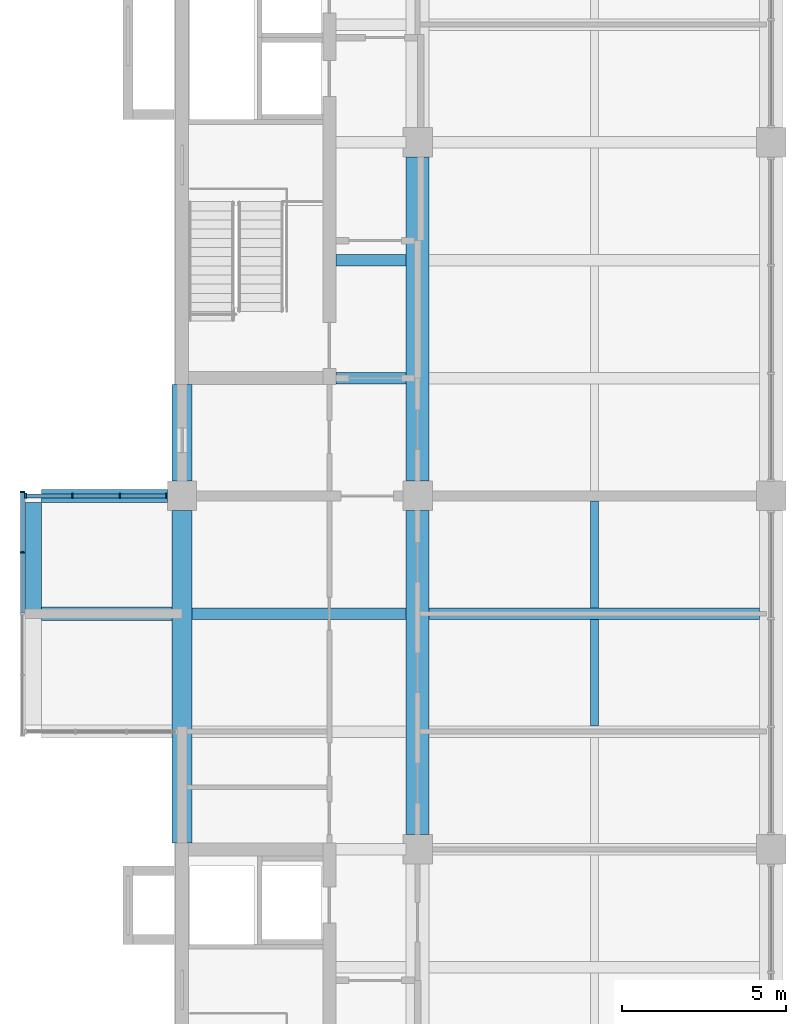
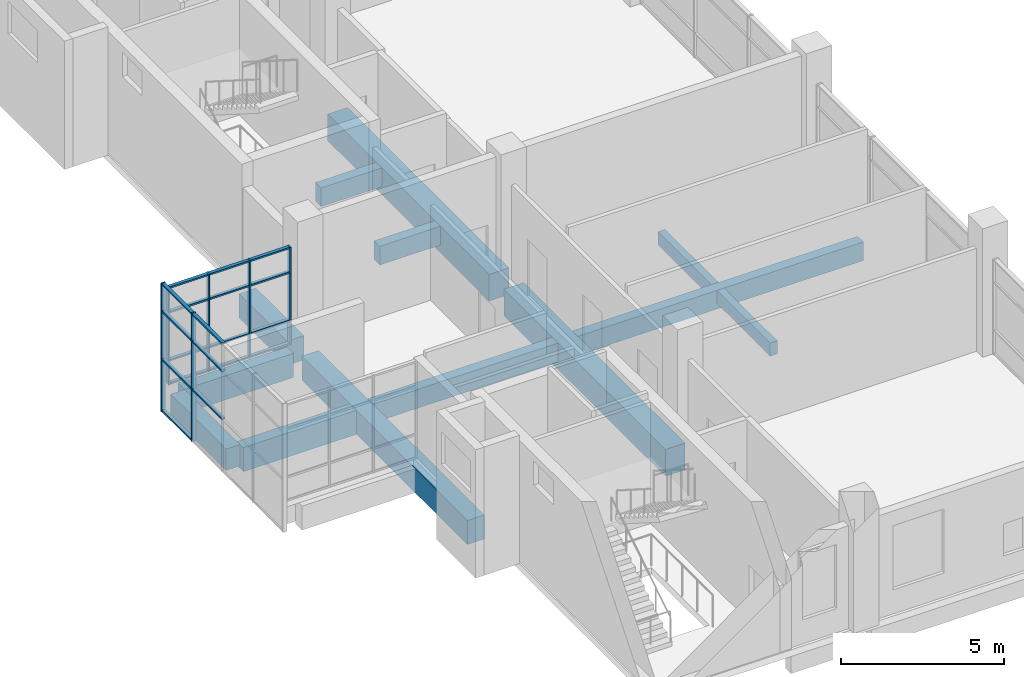
# One storey, part 3 of 15: 25 members, 13 beams, 2 elements without a shape of their own.
"""IFC4 building model written with IfcOpenShell, lengths in metres."""

from ifc_helpers import new_model, si_unit, direction, frame, origin, origin_2d, place, context, subcontext, project, spatial, rectangle, extrude, material, layer, layer_set, material_profile, profile_set, type_object, element, aggregate, save


model = new_model("IFC4")

# Units and contexts
model_context = context("Model", 3, precision=1e-05, world=origin(), true_north=direction((0.0, 1.0)))
body_context = subcontext(model_context, "Body", "Model", "MODEL_VIEW")
ifc_project = project(units=[si_unit("LENGTHUNIT", "METRE"), si_unit("AREAUNIT", "SQUARE_METRE"), si_unit("VOLUMEUNIT", "CUBIC_METRE"), si_unit("PLANEANGLEUNIT", "RADIAN"), si_unit("MASSUNIT", "GRAM", prefix="KILO")], contexts=[model_context])

# Site, building, storey
site_placement = place(None, origin())
site = spatial("IfcSite", under=ifc_project, at=site_placement, CompositionType="ELEMENT")
building_placement = place(site_placement, origin())
building = spatial("IfcBuilding", under=site, at=building_placement, Name="Basin Gate Institute", CompositionType="ELEMENT")
storey_placement = place(building_placement, frame((0.0, 0.0, 55.800048828125)))
storey = spatial("IfcBuildingStorey", under=building, at=storey_placement, Name="L11", CompositionType="ELEMENT", Elevation=55.800048828125)

# Beams
ifc_material_1 = material(Name="Concrete 40 MPa", Category="concrete")
ifc_material_profile_1 = material_profile(ifc_material_1, rectangle(XDim=0.35009765625, YDim=0.699951171875, at=origin_2d()), Name="Beam B1 350 x 700")
ifc_profile_set_1 = profile_set([ifc_material_profile_1], Name="Concrete 40 MPa")
beam_type_1 = type_object("IfcBeamType", Name="Beam B1 R120", PredefinedType="BEAM", material=ifc_profile_set_1)
beam_1_placement = place(storey_placement, frame((68.75, 53.10009765625, -0.60009765625), z_axis=(1.0, 0.0, 0.0), x_axis=(0.0, 1.0, 0.0)))
element("IfcBeam", 1, at=beam_1_placement, inside=storey, type_object=beam_type_1, material=ifc_profile_set_1, Name="BEAM/L11/W/EW/06", PredefinedType="BEAM", context=body_context, shape_type="SweptSolid", body=[
    extrude(rectangle(XDim=0.35009765625, YDim=0.699951171875, at=origin_2d()), origin(), (0.0, 0.0, 1.0), 10.10009765625),
])
beam_2_placement = place(storey_placement, frame((61.5, 53.10009765625, -0.60009765625), z_axis=(1.0, 0.0, 0.0), x_axis=(0.0, 1.0, 0.0)))
element("IfcBeam", 2, at=beam_2_placement, inside=storey, type_object=beam_type_1, material=ifc_profile_set_1, Name="BEAM/L11/W/OUT/06", PredefinedType="BEAM", context=body_context, shape_type="SweptSolid", body=[
    extrude(rectangle(XDim=0.35009765625, YDim=0.699951171875, at=origin_2d()), origin(), (0.0, 0.0, 1.0), 6.550048828125),
])
for number, where, z_axis, x_axis, name in (
    (3, (65.89990234375, 60.300048828125, -0.60009765625), (1.0, 0.0, 0.0), (0.0, 1.0, 0.0), "BEAM/L11/W/CORR/08"),
    (4, (65.89990234375, 63.89990234375, -0.60009765625), (1.0, 0.0, 0.0), (0.0, 1.0, 0.0), "BEAM/L11/W/CORR/09"),
):
    element("IfcBeam", number, at=place(storey_placement, frame(where, z_axis=z_axis, x_axis=x_axis)), inside=storey, type_object=beam_type_1, material=ifc_profile_set_1, Name=name, PredefinedType="BEAM", context=body_context, shape_type="SweptSolid", body=[
        extrude(rectangle(XDim=0.35009765625, YDim=0.699951171875, at=origin_2d()), origin(), (0.0, 0.0, 1.0), 2.150146484375),
    ])
ifc_material_2 = material(Name="Concrete 50 MPa", Category="concrete")
ifc_material_profile_2 = material_profile(ifc_material_2, rectangle(XDim=0.39990234375, YDim=0.89990234375, at=origin_2d()), Name="Cantilever beam B3 400 x 900")
ifc_profile_set_2 = profile_set([ifc_material_profile_2], Name="Concrete 50 MPa")
beam_type_2 = type_object("IfcBeamType", Name="Cantilever beam B3 R120", PredefinedType="BEAM", material=ifc_profile_set_2)
beam_3_placement = place(storey_placement, frame((56.89990234375, 53.10009765625, -0.699951171875), z_axis=(1.0, 0.0, 0.0), x_axis=(0.0, 1.0, 0.0)))
element("IfcBeam", 5, at=beam_3_placement, inside=storey, type_object=beam_type_2, material=ifc_profile_set_2, Name="BEAM/L11/W/CANT/06", PredefinedType="BEAM", context=body_context, shape_type="SweptSolid", body=[
    extrude(rectangle(XDim=0.39990234375, YDim=0.89990234375, at=origin_2d()), origin(), (0.0, 0.0, 1.0), 4.0),
])
beam_4_placement = place(storey_placement, frame((56.89990234375, 56.699951171875, -0.699951171875), z_axis=(1.0, 0.0, 0.0), x_axis=(0.0, 1.0, 0.0)))
element("IfcBeam", 6, at=beam_4_placement, inside=storey, type_object=beam_type_2, material=ifc_profile_set_2, Name="BEAM/L11/W/CANT/07", PredefinedType="BEAM", context=body_context, shape_type="SweptSolid", body=[
    extrude(rectangle(XDim=0.39990234375, YDim=0.89990234375, at=origin_2d()), origin(), (0.0, 0.0, 1.0), 3.85009765625),
])
ifc_material_3 = material(Name="Concrete 50 MPa", Category="concrete")
ifc_material_profile_3 = material_profile(ifc_material_3, rectangle(XDim=0.60009765625, YDim=0.89990234375, at=origin_2d()), Name="Edge beam EB1 600 x 900")
ifc_profile_set_3 = profile_set([ifc_material_profile_3], Name="Concrete 50 MPa")
beam_type_3 = type_object("IfcBeamType", Name="Edge beam EB1 R120", PredefinedType="SPANDREL", material=ifc_profile_set_3)
beam_5_placement = place(storey_placement, frame((61.199951171875, 46.10009765625, -0.699951171875), z_axis=(0.0, 1.0, 0.0), x_axis=(-1.0, 0.0, 0.0)))
element("IfcBeam", 7, at=beam_5_placement, inside=storey, type_object=beam_type_3, material=ifc_profile_set_3, Name="BEAM/L11/W/EDGE/1", PredefinedType="SPANDREL", context=body_context, shape_type="SweptSolid", body=[
    extrude(rectangle(XDim=0.60009765625, YDim=0.89990234375, at=origin_2d()), origin(), (0.0, 0.0, 1.0), 10.14990234375),
])
ifc_material_4 = material(Name="Concrete 50 MPa", Category="concrete")
ifc_material_profile_4 = material_profile(ifc_material_4, rectangle(XDim=0.60009765625, YDim=0.89990234375, at=origin_2d()), Name="Edge return beam EB3 600 x 900")
ifc_profile_set_4 = profile_set([ifc_material_profile_4], Name="Concrete 50 MPa")
beam_type_4 = type_object("IfcBeamType", Name="Edge return beam EB3 R120", PredefinedType="SPANDREL", material=ifc_profile_set_4)
beam_6_placement = place(storey_placement, frame((61.199951171875, 57.14990234375, -0.699951171875), z_axis=(0.0, 1.0, 0.0), x_axis=(-1.0, 0.0, 0.0)))
element("IfcBeam", 8, at=beam_6_placement, inside=storey, type_object=beam_type_4, material=ifc_profile_set_4, Name="BEAM/L11/W/EDGE/2", PredefinedType="SPANDREL", context=body_context, shape_type="SweptSolid", body=[
    extrude(rectangle(XDim=0.60009765625, YDim=0.89990234375, at=origin_2d()), origin(), (0.0, 0.0, 1.0), 2.9501953125),
])
ifc_material_5 = material(Name="Concrete 50 MPa", Category="concrete")
ifc_material_profile_5 = material_profile(ifc_material_5, rectangle(XDim=0.699951171875, YDim=1.0, at=origin_2d()), Name="Girder G1 700 x 1000")
ifc_profile_set_5 = profile_set([ifc_material_profile_5], Name="Concrete 50 MPa")
beam_type_5 = type_object("IfcBeamType", Name="Girder G1 R120", PredefinedType="BEAM", material=ifc_profile_set_5)
beam_7_placement = place(storey_placement, frame((68.39990234375, 46.35009765625, -0.75), z_axis=(0.0, 1.0, 0.0), x_axis=(-1.0, 0.0, 0.0)))
element("IfcBeam", 9, at=beam_7_placement, inside=storey, type_object=beam_type_5, material=ifc_profile_set_5, Name="GIR/L11/W5/2", PredefinedType="BEAM", context=body_context, shape_type="SweptSolid", body=[
    extrude(rectangle(XDim=0.699951171875, YDim=1.0, at=origin_2d()), origin(), (0.0, 0.0, 1.0), 9.89990234375),
])
beam_8_placement = place(storey_placement, frame((68.39990234375, 57.14990234375, -0.75), z_axis=(0.0, 1.0, 0.0), x_axis=(-1.0, 0.0, 0.0)))
element("IfcBeam", 10, at=beam_8_placement, inside=storey, type_object=beam_type_5, material=ifc_profile_set_5, Name="GIR/L11/W5/3", PredefinedType="BEAM", context=body_context, shape_type="SweptSolid", body=[
    extrude(rectangle(XDim=0.699951171875, YDim=1.0, at=origin_2d()), origin(), (0.0, 0.0, 1.0), 9.900146484375),
])

# Curtain wall, members
ifc_material_6 = material(Name="Aluminium-framed glazing", Category="aluminium")
ifc_layer = layer(ifc_material_6, 0.14990234375)
ifc_layer_set = layer_set([ifc_layer], Name="Capsule front curtain wall CW1")
curtain_wall_type = type_object("IfcCurtainWallType", Name="Capsule front curtain wall CW1", PredefinedType="NOTDEFINED", material=ifc_layer_set)
curtain_wall_1_placement = place(storey_placement, origin())
curtain_wall_1 = element("IfcCurtainWall", 11, at=curtain_wall_1_placement, inside=storey, type_object=curtain_wall_type, material=ifc_layer_set, Name="Capsule front curtain wall W wing capsule end L11 line 7", PredefinedType="NOTDEFINED")
ifc_material_7 = material(Name="Aluminium", Category="aluminium")
ifc_material_profile_6 = material_profile(ifc_material_7, rectangle(XDim=0.14990234375, YDim=0.050048828125, at=origin_2d()), Name="Mullion MU1 150 x 50")
ifc_profile_set_6 = profile_set([ifc_material_profile_6], Name="Aluminium")
member_type_1 = type_object("IfcMemberType", Name="Mullion MU1", PredefinedType="MULLION", material=ifc_profile_set_6)
member_1_placement = place(storey_placement, frame((56.425048828125, 56.699951171875, 0.0), z_axis=(0.0, 0.0, 1.0), x_axis=(0.0, 1.0, 0.0)))
member_1 = element("IfcMember", 12, at=member_1_placement, type_object=member_type_1, material=ifc_profile_set_6, Name="CW1 mullion 1", PredefinedType="MULLION", context=body_context, shape_type="SweptSolid", body=[
    extrude(rectangle(XDim=0.14990234375, YDim=0.050048828125, at=origin_2d()), origin(), (0.0, 0.0, 1.0), 3.64990234375),
])
member_2_placement = place(storey_placement, frame((57.85009765625, 56.699951171875, 0.0), z_axis=(0.0, 0.0, 1.0), x_axis=(0.0, 1.0, 0.0)))
member_2 = element("IfcMember", 13, at=member_2_placement, type_object=member_type_1, material=ifc_profile_set_6, Name="CW1 mullion 2", PredefinedType="MULLION", context=body_context, shape_type="SweptSolid", body=[
    extrude(rectangle(XDim=0.14990234375, YDim=0.050048828125, at=origin_2d()), origin(), (0.0, 0.0, 1.0), 3.64990234375),
])
member_3_placement = place(storey_placement, frame((59.300048828125, 56.699951171875, 0.0), z_axis=(0.0, 0.0, 1.0), x_axis=(0.0, 1.0, 0.0)))
member_3 = element("IfcMember", 14, at=member_3_placement, type_object=member_type_1, material=ifc_profile_set_6, Name="CW1 mullion 3", PredefinedType="MULLION", context=body_context, shape_type="SweptSolid", body=[
    extrude(rectangle(XDim=0.14990234375, YDim=0.050048828125, at=origin_2d()), origin(), (0.0, 0.0, 1.0), 3.64990234375),
])
member_4_placement = place(storey_placement, frame((60.72509765625, 56.699951171875, 0.0), z_axis=(0.0, 0.0, 1.0), x_axis=(0.0, 1.0, 0.0)))
member_4 = element("IfcMember", 15, at=member_4_placement, type_object=member_type_1, material=ifc_profile_set_6, Name="CW1 mullion 4", PredefinedType="MULLION", context=body_context, shape_type="SweptSolid", body=[
    extrude(rectangle(XDim=0.14990234375, YDim=0.050048828125, at=origin_2d()), origin(), (0.0, 0.0, 1.0), 3.64990234375),
])

curtain_wall_2_placement = place(storey_placement, origin())
curtain_wall_2 = element("IfcCurtainWall", 16, at=curtain_wall_2_placement, inside=storey, type_object=curtain_wall_type, material=ifc_layer_set, Name="Capsule front curtain wall W wing capsule 1 L11 front 2", PredefinedType="NOTDEFINED")
member_5_placement = place(storey_placement, frame((56.324951171875, 54.97509765625, -1.050048828125), z_axis=(0.0, 0.0, 1.0), x_axis=(-1.0, 0.0, 0.0)))
member_5 = element("IfcMember", 17, at=member_5_placement, type_object=member_type_1, material=ifc_profile_set_6, Name="CW1 mullion 4", PredefinedType="MULLION", context=body_context, shape_type="SweptSolid", body=[
    extrude(rectangle(XDim=0.14990234375, YDim=0.050048828125, at=origin_2d()), origin(), (0.0, 0.0, 1.0), 4.800048828125),
])
member_6_placement = place(storey_placement, frame((56.324951171875, 56.824951171875, -1.050048828125), z_axis=(0.0, 0.0, 1.0), x_axis=(-1.0, 0.0, 0.0)))
member_6 = element("IfcMember", 18, at=member_6_placement, type_object=member_type_1, material=ifc_profile_set_6, Name="CW1 mullion 5", PredefinedType="MULLION", context=body_context, shape_type="SweptSolid", body=[
    extrude(rectangle(XDim=0.14990234375, YDim=0.050048828125, at=origin_2d()), origin(), (0.0, 0.0, 1.0), 4.800048828125),
])

# Beams
ifc_material_8 = material(Name="Concrete 40 MPa", Category="concrete")
ifc_material_profile_7 = material_profile(ifc_material_8, rectangle(XDim=0.25, YDim=0.5, at=origin_2d()), Name="Rib R1 250 x 500")
ifc_profile_set_7 = profile_set([ifc_material_profile_7], Name="Concrete 40 MPa")
beam_type_6 = type_object("IfcBeamType", Name="Rib R1 R120", PredefinedType="JOIST", material=ifc_profile_set_7)
beam_9_placement = place(storey_placement, frame((73.800048828125, 49.675048828125, -0.5), z_axis=(0.0, 1.0, 0.0), x_axis=(-1.0, 0.0, 0.0)))
element("IfcBeam", 19, at=beam_9_placement, inside=storey, type_object=beam_type_6, material=ifc_profile_set_7, Name="BEAM/L11/W/RIB/05", PredefinedType="JOIST", context=body_context, shape_type="SweptSolid", body=[
    extrude(rectangle(XDim=0.25, YDim=0.5, at=origin_2d()), origin(), (0.0, 0.0, 1.0), 3.25),
])
beam_10_placement = place(storey_placement, frame((73.800048828125, 53.27490234375, -0.5), z_axis=(0.0, 1.0, 0.0), x_axis=(-1.0, 0.0, 0.0)))
element("IfcBeam", 20, at=beam_10_placement, inside=storey, type_object=beam_type_6, material=ifc_profile_set_7, Name="BEAM/L11/W/RIB/06", PredefinedType="JOIST", context=body_context, shape_type="SweptSolid", body=[
    extrude(rectangle(XDim=0.25, YDim=0.5, at=origin_2d()), origin(), (0.0, 0.0, 1.0), 3.275146484375),
])
ifc_material_9 = material(Name="Concrete 50 MPa", Category="concrete")
ifc_material_profile_8 = material_profile(ifc_material_9, rectangle(XDim=0.5, YDim=0.800048828125, at=origin_2d()), Name="Tip beam TB1 500 x 800")
ifc_profile_set_8 = profile_set([ifc_material_profile_8], Name="Concrete 50 MPa")
beam_type_7 = type_object("IfcBeamType", Name="Tip beam TB1 R120", PredefinedType="SPANDREL", material=ifc_profile_set_8)
beam_11_placement = place(storey_placement, frame((56.64990234375, 53.10009765625, -0.650146484375), z_axis=(0.0, 1.0, 0.0), x_axis=(-1.0, 0.0, 0.0)))
element("IfcBeam", 21, at=beam_11_placement, inside=storey, type_object=beam_type_7, material=ifc_profile_set_8, Name="BEAM/L11/W/TIP/3", PredefinedType="SPANDREL", context=body_context, shape_type="SweptSolid", body=[
    extrude(rectangle(XDim=0.5, YDim=0.800048828125, at=origin_2d()), origin(), (0.0, 0.0, 1.0), 3.39990234375),
])

# Member
ifc_material_10 = material(Name="Aluminium", Category="aluminium")
ifc_material_profile_9 = material_profile(ifc_material_10, rectangle(XDim=0.1201171875, YDim=0.06005859375, at=origin_2d()), Name="Transom TR1 120 x 60")
ifc_profile_set_9 = profile_set([ifc_material_profile_9], Name="Aluminium")
member_type_2 = type_object("IfcMemberType", Name="Transom TR1", PredefinedType="USERDEFINED", material=ifc_profile_set_9)
member_7_placement = place(storey_placement, frame((56.449951171875, 56.699951171875, 0.030029296875), z_axis=(1.0, 0.0, 0.0), x_axis=(0.0, 1.0, 0.0)))
member_7 = element("IfcMember", 22, at=member_7_placement, type_object=member_type_2, material=ifc_profile_set_9, Name="CW1 transom 1.1", ObjectType="TRANSOM", PredefinedType="USERDEFINED", context=body_context, shape_type="SweptSolid", body=[
    extrude(rectangle(XDim=0.1201171875, YDim=0.06005859375, at=origin_2d()), origin(), (0.0, 0.0, 1.0), 1.375),
])

member_8_placement = place(storey_placement, frame((56.449951171875, 56.699951171875, 0.89990234375), z_axis=(1.0, 0.0, 0.0), x_axis=(0.0, 1.0, 0.0)))
member_8 = element("IfcMember", 23, at=member_8_placement, type_object=member_type_2, material=ifc_profile_set_9, Name="CW1 transom 1.2", ObjectType="TRANSOM", PredefinedType="USERDEFINED", context=body_context, shape_type="SweptSolid", body=[
    extrude(rectangle(XDim=0.1201171875, YDim=0.06005859375, at=origin_2d()), origin(), (0.0, 0.0, 1.0), 1.375),
])

member_9_placement = place(storey_placement, frame((56.449951171875, 56.699951171875, 2.699951171875), z_axis=(1.0, 0.0, 0.0), x_axis=(0.0, 1.0, 0.0)))
member_9 = element("IfcMember", 24, at=member_9_placement, type_object=member_type_2, material=ifc_profile_set_9, Name="CW1 transom 1.3", ObjectType="TRANSOM", PredefinedType="USERDEFINED", context=body_context, shape_type="SweptSolid", body=[
    extrude(rectangle(XDim=0.1201171875, YDim=0.06005859375, at=origin_2d()), origin(), (0.0, 0.0, 1.0), 1.375),
])

member_10_placement = place(storey_placement, frame((56.449951171875, 56.699951171875, 3.619873046875), z_axis=(1.0, 0.0, 0.0), x_axis=(0.0, 1.0, 0.0)))
member_10 = element("IfcMember", 25, at=member_10_placement, type_object=member_type_2, material=ifc_profile_set_9, Name="CW1 transom 1.4", ObjectType="TRANSOM", PredefinedType="USERDEFINED", context=body_context, shape_type="SweptSolid", body=[
    extrude(rectangle(XDim=0.1201171875, YDim=0.06005859375, at=origin_2d()), origin(), (0.0, 0.0, 1.0), 1.375),
])

member_11_placement = place(storey_placement, frame((57.875, 56.699951171875, 0.030029296875), z_axis=(1.0, 0.0, 0.0), x_axis=(0.0, 1.0, 0.0)))
member_11 = element("IfcMember", 26, at=member_11_placement, type_object=member_type_2, material=ifc_profile_set_9, Name="CW1 transom 2.1", ObjectType="TRANSOM", PredefinedType="USERDEFINED", context=body_context, shape_type="SweptSolid", body=[
    extrude(rectangle(XDim=0.1201171875, YDim=0.06005859375, at=origin_2d()), origin(), (0.0, 0.0, 1.0), 1.39990234375),
])

member_12_placement = place(storey_placement, frame((57.875, 56.699951171875, 0.89990234375), z_axis=(1.0, 0.0, 0.0), x_axis=(0.0, 1.0, 0.0)))
member_12 = element("IfcMember", 27, at=member_12_placement, type_object=member_type_2, material=ifc_profile_set_9, Name="CW1 transom 2.2", ObjectType="TRANSOM", PredefinedType="USERDEFINED", context=body_context, shape_type="SweptSolid", body=[
    extrude(rectangle(XDim=0.1201171875, YDim=0.06005859375, at=origin_2d()), origin(), (0.0, 0.0, 1.0), 1.39990234375),
])

member_13_placement = place(storey_placement, frame((57.875, 56.699951171875, 2.699951171875), z_axis=(1.0, 0.0, 0.0), x_axis=(0.0, 1.0, 0.0)))
member_13 = element("IfcMember", 28, at=member_13_placement, type_object=member_type_2, material=ifc_profile_set_9, Name="CW1 transom 2.3", ObjectType="TRANSOM", PredefinedType="USERDEFINED", context=body_context, shape_type="SweptSolid", body=[
    extrude(rectangle(XDim=0.1201171875, YDim=0.06005859375, at=origin_2d()), origin(), (0.0, 0.0, 1.0), 1.39990234375),
])

member_14_placement = place(storey_placement, frame((57.875, 56.699951171875, 3.619873046875), z_axis=(1.0, 0.0, 0.0), x_axis=(0.0, 1.0, 0.0)))
member_14 = element("IfcMember", 29, at=member_14_placement, type_object=member_type_2, material=ifc_profile_set_9, Name="CW1 transom 2.4", ObjectType="TRANSOM", PredefinedType="USERDEFINED", context=body_context, shape_type="SweptSolid", body=[
    extrude(rectangle(XDim=0.1201171875, YDim=0.06005859375, at=origin_2d()), origin(), (0.0, 0.0, 1.0), 1.39990234375),
])

member_15_placement = place(storey_placement, frame((59.324951171875, 56.699951171875, 0.030029296875), z_axis=(1.0, 0.0, 0.0), x_axis=(0.0, 1.0, 0.0)))
member_15 = element("IfcMember", 30, at=member_15_placement, type_object=member_type_2, material=ifc_profile_set_9, Name="CW1 transom 3.1", ObjectType="TRANSOM", PredefinedType="USERDEFINED", context=body_context, shape_type="SweptSolid", body=[
    extrude(rectangle(XDim=0.1201171875, YDim=0.06005859375, at=origin_2d()), origin(), (0.0, 0.0, 1.0), 1.375),
])

member_16_placement = place(storey_placement, frame((59.324951171875, 56.699951171875, 0.89990234375), z_axis=(1.0, 0.0, 0.0), x_axis=(0.0, 1.0, 0.0)))
member_16 = element("IfcMember", 31, at=member_16_placement, type_object=member_type_2, material=ifc_profile_set_9, Name="CW1 transom 3.2", ObjectType="TRANSOM", PredefinedType="USERDEFINED", context=body_context, shape_type="SweptSolid", body=[
    extrude(rectangle(XDim=0.1201171875, YDim=0.06005859375, at=origin_2d()), origin(), (0.0, 0.0, 1.0), 1.375),
])

member_17_placement = place(storey_placement, frame((59.324951171875, 56.699951171875, 2.699951171875), z_axis=(1.0, 0.0, 0.0), x_axis=(0.0, 1.0, 0.0)))
member_17 = element("IfcMember", 32, at=member_17_placement, type_object=member_type_2, material=ifc_profile_set_9, Name="CW1 transom 3.3", ObjectType="TRANSOM", PredefinedType="USERDEFINED", context=body_context, shape_type="SweptSolid", body=[
    extrude(rectangle(XDim=0.1201171875, YDim=0.06005859375, at=origin_2d()), origin(), (0.0, 0.0, 1.0), 1.375),
])

member_18_placement = place(storey_placement, frame((59.324951171875, 56.699951171875, 3.619873046875), z_axis=(1.0, 0.0, 0.0), x_axis=(0.0, 1.0, 0.0)))
member_18 = element("IfcMember", 33, at=member_18_placement, type_object=member_type_2, material=ifc_profile_set_9, Name="CW1 transom 3.4", ObjectType="TRANSOM", PredefinedType="USERDEFINED", context=body_context, shape_type="SweptSolid", body=[
    extrude(rectangle(XDim=0.1201171875, YDim=0.06005859375, at=origin_2d()), origin(), (0.0, 0.0, 1.0), 1.375),
])

aggregate(curtain_wall_1, [member_1, member_2, member_3, member_4, member_7, member_8, member_9, member_10, member_11, member_12, member_13, member_14, member_15, member_16, member_17, member_18])

member_19_placement = place(storey_placement, frame((56.324951171875, 53.125, 0.89990234375), z_axis=(0.0, 1.0, 0.0), x_axis=(-1.0, 0.0, 0.0)))
member_19 = element("IfcMember", 34, at=member_19_placement, type_object=member_type_2, material=ifc_profile_set_9, Name="CW1 transom 3.2", ObjectType="TRANSOM", PredefinedType="USERDEFINED", context=body_context, shape_type="SweptSolid", body=[
    extrude(rectangle(XDim=0.1201171875, YDim=0.06005859375, at=origin_2d()), origin(), (0.0, 0.0, 1.0), 1.824951171875),
])

member_20_placement = place(storey_placement, frame((56.324951171875, 53.125, 2.699951171875), z_axis=(0.0, 1.0, 0.0), x_axis=(-1.0, 0.0, 0.0)))
member_20 = element("IfcMember", 35, at=member_20_placement, type_object=member_type_2, material=ifc_profile_set_9, Name="CW1 transom 3.3", ObjectType="TRANSOM", PredefinedType="USERDEFINED", context=body_context, shape_type="SweptSolid", body=[
    extrude(rectangle(XDim=0.1201171875, YDim=0.06005859375, at=origin_2d()), origin(), (0.0, 0.0, 1.0), 1.824951171875),
])

member_21_placement = place(storey_placement, frame((56.324951171875, 53.125, 3.719970703125), z_axis=(0.0, 1.0, 0.0), x_axis=(-1.0, 0.0, 0.0)))
member_21 = element("IfcMember", 36, at=member_21_placement, type_object=member_type_2, material=ifc_profile_set_9, Name="CW1 transom 3.4", ObjectType="TRANSOM", PredefinedType="USERDEFINED", context=body_context, shape_type="SweptSolid", body=[
    extrude(rectangle(XDim=0.1201171875, YDim=0.06005859375, at=origin_2d()), origin(), (0.0, 0.0, 1.0), 1.824951171875),
])

member_22_placement = place(storey_placement, frame((56.324951171875, 55.0, -1.02001953125), z_axis=(0.0, 1.0, 0.0), x_axis=(-1.0, 0.0, 0.0)))
member_22 = element("IfcMember", 37, at=member_22_placement, type_object=member_type_2, material=ifc_profile_set_9, Name="CW1 transom 4.1", ObjectType="TRANSOM", PredefinedType="USERDEFINED", context=body_context, shape_type="SweptSolid", body=[
    extrude(rectangle(XDim=0.1201171875, YDim=0.06005859375, at=origin_2d()), origin(), (0.0, 0.0, 1.0), 1.800048828125),
])

member_23_placement = place(storey_placement, frame((56.324951171875, 55.0, 0.89990234375), z_axis=(0.0, 1.0, 0.0), x_axis=(-1.0, 0.0, 0.0)))
member_23 = element("IfcMember", 38, at=member_23_placement, type_object=member_type_2, material=ifc_profile_set_9, Name="CW1 transom 4.2", ObjectType="TRANSOM", PredefinedType="USERDEFINED", context=body_context, shape_type="SweptSolid", body=[
    extrude(rectangle(XDim=0.1201171875, YDim=0.06005859375, at=origin_2d()), origin(), (0.0, 0.0, 1.0), 1.800048828125),
])

member_24_placement = place(storey_placement, frame((56.324951171875, 55.0, 2.699951171875), z_axis=(0.0, 1.0, 0.0), x_axis=(-1.0, 0.0, 0.0)))
member_24 = element("IfcMember", 39, at=member_24_placement, type_object=member_type_2, material=ifc_profile_set_9, Name="CW1 transom 4.3", ObjectType="TRANSOM", PredefinedType="USERDEFINED", context=body_context, shape_type="SweptSolid", body=[
    extrude(rectangle(XDim=0.1201171875, YDim=0.06005859375, at=origin_2d()), origin(), (0.0, 0.0, 1.0), 1.800048828125),
])

member_25_placement = place(storey_placement, frame((56.324951171875, 55.0, 3.719970703125), z_axis=(0.0, 1.0, 0.0), x_axis=(-1.0, 0.0, 0.0)))
member_25 = element("IfcMember", 40, at=member_25_placement, type_object=member_type_2, material=ifc_profile_set_9, Name="CW1 transom 4.4", ObjectType="TRANSOM", PredefinedType="USERDEFINED", context=body_context, shape_type="SweptSolid", body=[
    extrude(rectangle(XDim=0.1201171875, YDim=0.06005859375, at=origin_2d()), origin(), (0.0, 0.0, 1.0), 1.800048828125),
])

aggregate(curtain_wall_2, [member_5, member_6, member_19, member_20, member_21, member_22, member_23, member_24, member_25])

save(model, "model.ifc")
